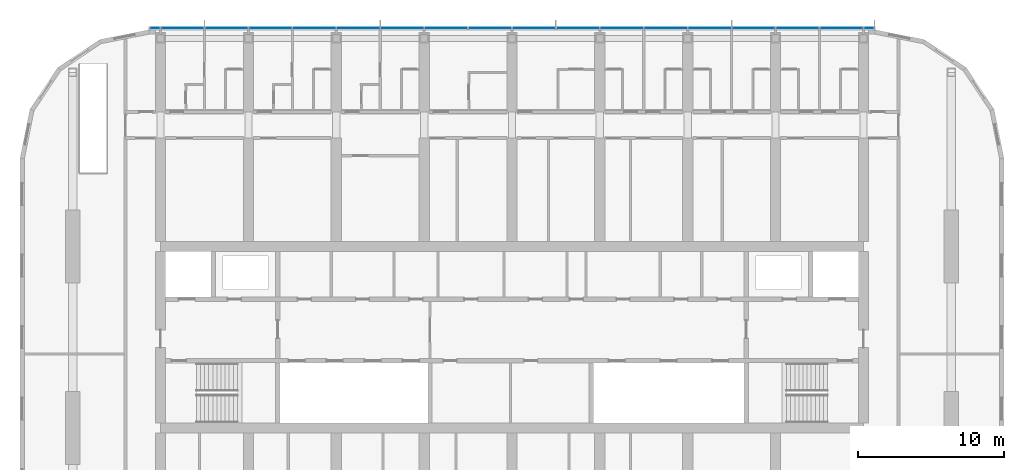
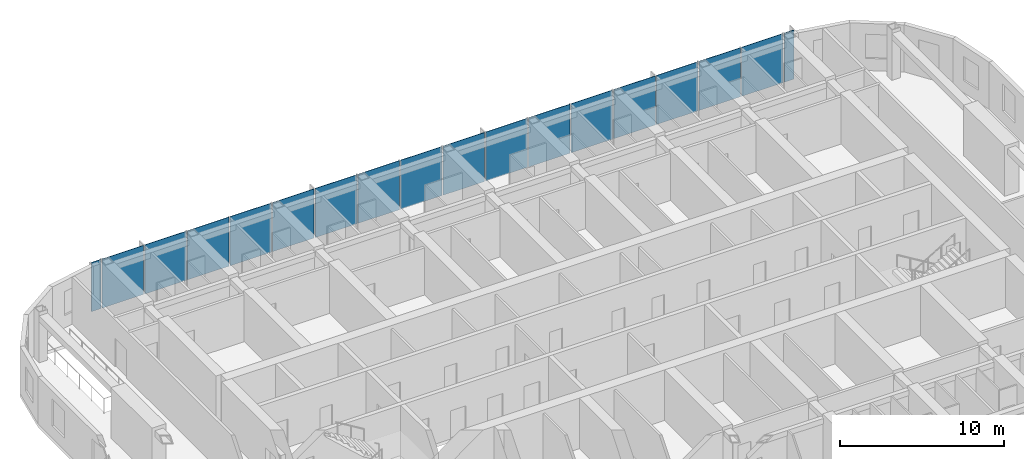
# One storey, part 9 of 24: 18 plates, 1 element without a shape of its own.
"""IFC4 building model written with IfcOpenShell, lengths in metres."""

import ifcopenshell
import ifcopenshell.guid

model = None  # the IFC model being written
_history = None  # IfcOwnerHistory: only IFC2X3 demands one
_inside = {}  # id of a spatial element -> (the spatial element, [elements in it])
_under = {}  # id of a project, library or spatial element -> (it, [spatial elements below it])
_declared = {}  # id of a project -> (the project, [libraries it declares])
_typed = {}  # id of a type object -> (the type object, [elements of that type])
_made_of = {}  # id of a material, layer set ... -> (it, [elements and type objects made of it])


def new_model(schema):
    """Start an empty IFC model of exactly this schema.

    Asked for "IFC4X3", IfcOpenShell would pick the latest addendum, in which some entities
    have other attributes; the version numbers below select the first issue.
    IFC2X3 requires an IfcOwnerHistory on every rooted entity: one is made here for all.
    """
    global model, _history
    if schema == "IFC4X3":
        model = ifcopenshell.file(schema_version=(4, 3, 0, 0))
    else:
        model = ifcopenshell.file(schema=schema)
    _inside.clear()
    _under.clear()
    _declared.clear()
    _typed.clear()
    _made_of.clear()
    _history = None
    if model.schema == "IFC2X3":
        org = make("IfcOrganization", Name="unknown")
        user = make(
            "IfcPersonAndOrganization",
            ThePerson=make("IfcPerson", FamilyName="unknown"),
            TheOrganization=org,
        )
        app = make(
            "IfcApplication",
            ApplicationDeveloper=org,
            Version="unknown",
            ApplicationFullName="unknown",
            ApplicationIdentifier="unknown",
        )
        _history = make(
            "IfcOwnerHistory",
            OwningUser=user,
            OwningApplication=app,
            ChangeAction="ADDED",
            CreationDate=0,
        )
    return model


def make(cls, **values):
    """One entity of the class cls with the attributes given. An attribute that is None is left unset."""
    return model.create_entity(
        cls, **{name: value for name, value in values.items() if value is not None}
    )


def rooted(cls, **values):
    """An entity with a GlobalId (a new one), such as an element, a storey or a relation."""
    return make(cls, GlobalId=ifcopenshell.guid.new(), OwnerHistory=_history, **values)


def si_unit(unit_type, name, prefix=None):
    """IfcSIUnit, for example si_unit("LENGTHUNIT", "METRE", prefix="MILLI")."""
    return make("IfcSIUnit", UnitType=unit_type, Prefix=prefix, Name=name)


def assignment(units):
    """IfcUnitAssignment: the units of a project."""
    return None if units is None else make("IfcUnitAssignment", Units=units)


def point(xyz):
    """IfcCartesianPoint."""
    return None if xyz is None else make("IfcCartesianPoint", Coordinates=xyz)


def direction(xyz):
    """IfcDirection."""
    return None if xyz is None else make("IfcDirection", DirectionRatios=xyz)


def frame(location, z_axis=None, x_axis=None):
    """IfcAxis2Placement3D, a coordinate frame: its origin and axes. An axis left out is left unset."""
    return make(
        "IfcAxis2Placement3D",
        Location=point(location),
        Axis=direction(z_axis),
        RefDirection=direction(x_axis),
    )


def frame_2d(location, x_axis=None):
    """IfcAxis2Placement2D, a coordinate frame in the plane: its origin and x axis."""
    return make(
        "IfcAxis2Placement2D", Location=point(location), RefDirection=direction(x_axis)
    )


def origin():
    """The frame at (0, 0, 0) with its axes left unset."""
    return frame((0.0, 0.0, 0.0))


def origin_2d():
    """The frame at (0, 0) in the plane with its x axis left unset."""
    return frame_2d((0.0, 0.0))


def place(relative_to, where):
    """IfcLocalPlacement: puts the frame where relative to a parent placement (None: the world)."""
    return make(
        "IfcLocalPlacement", PlacementRelTo=relative_to, RelativePlacement=where
    )


def context(
    kind, dimensions, precision=None, world=None, true_north=None, identifier=None
):
    """IfcGeometricRepresentationContext, for example the 3D "Model" context."""
    return make(
        "IfcGeometricRepresentationContext",
        ContextIdentifier=identifier,
        ContextType=kind,
        CoordinateSpaceDimension=dimensions,
        Precision=precision,
        WorldCoordinateSystem=world,
        TrueNorth=true_north,
    )


def subcontext(parent, identifier, kind, view, scale=None):
    """IfcGeometricRepresentationSubContext, for example "Body" below "Model"."""
    return make(
        "IfcGeometricRepresentationSubContext",
        ContextIdentifier=identifier,
        ContextType=kind,
        ParentContext=parent,
        TargetScale=scale,
        TargetView=view,
    )


def project(units=None, contexts=None):
    """IfcProject with its units and contexts."""
    return rooted(
        "IfcProject",
        Name="project",
        RepresentationContexts=contexts,
        UnitsInContext=assignment(units),
    )


def spatial(cls, under=None, at=None, **own):
    """A site, building, storey or space (cls), placed at a placement, below another one or the project."""
    s = rooted(cls, ObjectPlacement=at, **own)
    if under is not None:
        _under.setdefault(under.id(), (under, []))[1].append(s)
    return s


def profile(cls, at=None, kind="AREA", **sizes):
    """A parametric profile (cls). Its sizes go by their IFC names, for example OverallWidth=200.0."""
    return make(cls, ProfileType=kind, Position=at, **sizes)


def rectangle(**sizes):
    """IfcRectangleProfileDef."""
    return profile("IfcRectangleProfileDef", **sizes)


def extrude(swept, where, along, depth):
    """IfcExtrudedAreaSolid: the profile swept, set in the frame where, extruded along a direction by depth."""
    return make(
        "IfcExtrudedAreaSolid",
        SweptArea=swept,
        Position=where,
        ExtrudedDirection=direction(along),
        Depth=depth,
    )


def shape(context_of_items, identifier, shape_type, items):
    """IfcShapeRepresentation: the items that make up one representation, for example the "Body"."""
    return make(
        "IfcShapeRepresentation",
        ContextOfItems=context_of_items,
        RepresentationIdentifier=identifier,
        RepresentationType=shape_type,
        Items=items,
    )


def material(Name=None, Category=None):
    """IfcMaterial."""
    return make("IfcMaterial", Name=Name, Category=Category)


def layer(
    of_material, thickness, ventilated=None, Name=None, Category=None, Priority=None
):
    """IfcMaterialLayer: one layer of a wall or slab, of a material (None: an air gap)."""
    return make(
        "IfcMaterialLayer",
        Material=of_material,
        LayerThickness=thickness,
        IsVentilated=ventilated,
        Name=Name,
        Category=Category,
        Priority=Priority,
    )


def layer_set(layers, Name=None):
    """IfcMaterialLayerSet."""
    return make("IfcMaterialLayerSet", MaterialLayers=layers, LayerSetName=Name)


def made_of(thing, what):
    """Note that an element or type object is made of a material, layer set ...; save() writes the relation."""
    if what is not None:
        _made_of.setdefault(what.id(), (what, []))[1].append(thing)
    return thing


def type_object(cls, material=None, **own):
    """A type object (cls), such as IfcWallType, which elements share."""
    return made_of(rooted(cls, **own), material)


def element(
    cls,
    number,
    at=None,
    inside=None,
    cuts=None,
    type_object=None,
    material=None,
    context=None,
    identifier="Body",
    shape_type=None,
    held_by="IfcProductDefinitionShape",
    body=None,
    shapes=None,
    **own,
):
    """One element of the class cls, such as IfcWall. Its Tag is "e" and its number.

    at: its placement. inside: the storey or other place that contains it. cuts: it is an
    opening in that element (IfcRelVoidsElement). A single representation is given by context,
    identifier, shape_type and body (its items); several are given by shapes. held_by: the class
    of the entity that holds the representations. save() writes the other relations.
    """
    e = rooted(cls, Tag="e%d" % number, ObjectPlacement=at, **own)
    if body is not None:
        shapes = [shape(context, identifier, shape_type, body)]
    if shapes is not None:
        e.Representation = make(held_by, Representations=shapes)
    if inside is not None:
        _inside.setdefault(inside.id(), (inside, []))[1].append(e)
    if cuts is not None:
        rooted(
            "IfcRelVoidsElement", RelatingBuildingElement=cuts, RelatedOpeningElement=e
        )
    if type_object is not None:
        _typed.setdefault(type_object.id(), (type_object, []))[1].append(e)
    return made_of(e, material)


def aggregate(whole, parts):
    """IfcRelAggregates: a whole, such as a stair, and the parts it consists of."""
    return rooted("IfcRelAggregates", RelatingObject=whole, RelatedObjects=parts)


def save(model, path):
    """Write the relations noted so far, then the file.

    IfcRelAggregates (storeys below a building ...), IfcRelContainedInSpatialStructure (elements
    in a storey), IfcRelDefinesByType, IfcRelAssociatesMaterial and IfcRelDeclares: one each for
    every whole, place, type object, material and project.
    """
    for whole, parts in _under.values():
        aggregate(whole, parts)
    for where, things in _inside.values():
        rooted(
            "IfcRelContainedInSpatialStructure",
            RelatedElements=things,
            RelatingStructure=where,
        )
    for kind, things in _typed.values():
        rooted("IfcRelDefinesByType", RelatedObjects=things, RelatingType=kind)
    for what, things in _made_of.values():
        rooted("IfcRelAssociatesMaterial", RelatedObjects=things, RelatingMaterial=what)
    for by, libraries in _declared.values():
        rooted("IfcRelDeclares", RelatingContext=by, RelatedDefinitions=libraries)
    model.write(path)


model = new_model("IFC4")

# Units and contexts
model_context = context("Model", 3, precision=1e-05, world=origin(), true_north=direction((0.0, 1.0)))
body_context = subcontext(model_context, "Body", "Model", "MODEL_VIEW")
ifc_project = project(units=[si_unit("LENGTHUNIT", "METRE"), si_unit("AREAUNIT", "SQUARE_METRE"), si_unit("VOLUMEUNIT", "CUBIC_METRE"), si_unit("PLANEANGLEUNIT", "RADIAN"), si_unit("MASSUNIT", "GRAM", prefix="KILO")], contexts=[model_context])

# Site, building, storey
site_placement = place(None, origin())
site = spatial("IfcSite", under=ifc_project, at=site_placement, CompositionType="ELEMENT")
building_placement = place(site_placement, origin())
building = spatial("IfcBuilding", under=site, at=building_placement, Name="Orbita Commons", CompositionType="ELEMENT")
storey_placement = place(building_placement, frame((0.0, 0.0, 235.300048828125)))
storey = spatial("IfcBuildingStorey", under=building, at=storey_placement, Name="L58", CompositionType="ELEMENT", Elevation=235.300048828125)

# Curtain wall, plates
ifc_material_1 = material(Name="Anodised aluminium frame, pale silver", Category="aluminium")
curtain_wall_type = type_object("IfcCurtainWallType", Name="Unitised curtain wall CW-U, full-height vision", PredefinedType="NOTDEFINED", material=ifc_material_1)
curtain_wall_placement = place(storey_placement, origin())
curtain_wall = element("IfcCurtainWall", 1, at=curtain_wall_placement, inside=storey, type_object=curtain_wall_type, Name="Curtain wall north L58", PredefinedType="NOTDEFINED")
ifc_material_2 = material(Name="Clear double glazing", Category="glass")
ifc_layer = layer(ifc_material_2, 0.031982421875)
ifc_layer_set = layer_set([ifc_layer], Name="Clear double glazing")
plate_type = type_object("IfcPlateType", Name="Full-height vision panel, clear glazing 32", PredefinedType="CURTAIN_PANEL", material=ifc_layer_set)
plate_1_placement = place(storey_placement, frame((66.3798828125, 53.110107421875, -0.14990234375), z_axis=(0.0, 0.0, 1.0), x_axis=(-1.0, 0.0, 0.0)))
plate_1 = element("IfcPlate", 2, at=plate_1_placement, type_object=plate_type, Name="Panel 1.1 CW-L58-N", PredefinedType="CURTAIN_PANEL", context=body_context, shape_type="SweptSolid", body=[
    extrude(rectangle(XDim=0.679931640625, YDim=0.031982421875, at=origin_2d()), origin(), (0.0, 0.0, 1.0), 3.64990234375),
])
plate_2_placement = place(storey_placement, frame((64.5, 53.110107421875, -0.14990234375), z_axis=(0.0, 0.0, 1.0), x_axis=(-1.0, 0.0, 0.0)))
plate_2 = element("IfcPlate", 3, at=plate_2_placement, type_object=plate_type, Name="Panel 2.1 CW-L58-N", PredefinedType="CURTAIN_PANEL", context=body_context, shape_type="SweptSolid", body=[
    extrude(rectangle(XDim=2.919921875, YDim=0.031982421875, at=origin_2d()), origin(), (0.0, 0.0, 1.0), 3.64990234375),
])
plate_3_placement = place(storey_placement, frame((61.5, 53.110107421875, -0.14990234375), z_axis=(0.0, 0.0, 1.0), x_axis=(-1.0, 0.0, 0.0)))
plate_3 = element("IfcPlate", 4, at=plate_3_placement, type_object=plate_type, Name="Panel 3.1 CW-L58-N", PredefinedType="CURTAIN_PANEL", context=body_context, shape_type="SweptSolid", body=[
    extrude(rectangle(XDim=2.919921875, YDim=0.031982421875, at=origin_2d()), origin(), (0.0, 0.0, 1.0), 3.64990234375),
])
plate_4_placement = place(storey_placement, frame((58.5, 53.110107421875, -0.14990234375), z_axis=(0.0, 0.0, 1.0), x_axis=(-1.0, 0.0, 0.0)))
plate_4 = element("IfcPlate", 5, at=plate_4_placement, type_object=plate_type, Name="Panel 4.1 CW-L58-N", PredefinedType="CURTAIN_PANEL", context=body_context, shape_type="SweptSolid", body=[
    extrude(rectangle(XDim=2.919921875, YDim=0.031982421875, at=origin_2d()), origin(), (0.0, 0.0, 1.0), 3.64990234375),
])
plate_5_placement = place(storey_placement, frame((55.5, 53.110107421875, -0.14990234375), z_axis=(0.0, 0.0, 1.0), x_axis=(-1.0, 0.0, 0.0)))
plate_5 = element("IfcPlate", 6, at=plate_5_placement, type_object=plate_type, Name="Panel 5.1 CW-L58-N", PredefinedType="CURTAIN_PANEL", context=body_context, shape_type="SweptSolid", body=[
    extrude(rectangle(XDim=2.919921875, YDim=0.031982421875, at=origin_2d()), origin(), (0.0, 0.0, 1.0), 3.64990234375),
])
plate_6_placement = place(storey_placement, frame((52.5, 53.110107421875, -0.14990234375), z_axis=(0.0, 0.0, 1.0), x_axis=(-1.0, 0.0, 0.0)))
plate_6 = element("IfcPlate", 7, at=plate_6_placement, type_object=plate_type, Name="Panel 6.1 CW-L58-N", PredefinedType="CURTAIN_PANEL", context=body_context, shape_type="SweptSolid", body=[
    extrude(rectangle(XDim=2.919921875, YDim=0.031982421875, at=origin_2d()), origin(), (0.0, 0.0, 1.0), 3.64990234375),
])
plate_7_placement = place(storey_placement, frame((49.5, 53.110107421875, -0.14990234375), z_axis=(0.0, 0.0, 1.0), x_axis=(-1.0, 0.0, 0.0)))
plate_7 = element("IfcPlate", 8, at=plate_7_placement, type_object=plate_type, Name="Panel 7.1 CW-L58-N", PredefinedType="CURTAIN_PANEL", context=body_context, shape_type="SweptSolid", body=[
    extrude(rectangle(XDim=2.919921875, YDim=0.031982421875, at=origin_2d()), origin(), (0.0, 0.0, 1.0), 3.64990234375),
])
plate_8_placement = place(storey_placement, frame((46.5, 53.110107421875, -0.14990234375), z_axis=(0.0, 0.0, 1.0), x_axis=(-1.0, 0.0, 0.0)))
plate_8 = element("IfcPlate", 9, at=plate_8_placement, type_object=plate_type, Name="Panel 8.1 CW-L58-N", PredefinedType="CURTAIN_PANEL", context=body_context, shape_type="SweptSolid", body=[
    extrude(rectangle(XDim=2.919921875, YDim=0.031982421875, at=origin_2d()), origin(), (0.0, 0.0, 1.0), 3.64990234375),
])
plate_9_placement = place(storey_placement, frame((43.5, 53.110107421875, -0.14990234375), z_axis=(0.0, 0.0, 1.0), x_axis=(-1.0, 0.0, 0.0)))
plate_9 = element("IfcPlate", 10, at=plate_9_placement, type_object=plate_type, Name="Panel 9.1 CW-L58-N", PredefinedType="CURTAIN_PANEL", context=body_context, shape_type="SweptSolid", body=[
    extrude(rectangle(XDim=2.919921875, YDim=0.031982421875, at=origin_2d()), origin(), (0.0, 0.0, 1.0), 3.64990234375),
])
plate_10_placement = place(storey_placement, frame((40.5, 53.110107421875, -0.14990234375), z_axis=(0.0, 0.0, 1.0), x_axis=(-1.0, 0.0, 0.0)))
plate_10 = element("IfcPlate", 11, at=plate_10_placement, type_object=plate_type, Name="Panel 10.1 CW-L58-N", PredefinedType="CURTAIN_PANEL", context=body_context, shape_type="SweptSolid", body=[
    extrude(rectangle(XDim=2.919921875, YDim=0.031982421875, at=origin_2d()), origin(), (0.0, 0.0, 1.0), 3.64990234375),
])
plate_11_placement = place(storey_placement, frame((37.5, 53.110107421875, -0.14990234375), z_axis=(0.0, 0.0, 1.0), x_axis=(-1.0, 0.0, 0.0)))
plate_11 = element("IfcPlate", 12, at=plate_11_placement, type_object=plate_type, Name="Panel 11.1 CW-L58-N", PredefinedType="CURTAIN_PANEL", context=body_context, shape_type="SweptSolid", body=[
    extrude(rectangle(XDim=2.919921875, YDim=0.031982421875, at=origin_2d()), origin(), (0.0, 0.0, 1.0), 3.64990234375),
])
plate_12_placement = place(storey_placement, frame((34.5, 53.110107421875, -0.14990234375), z_axis=(0.0, 0.0, 1.0), x_axis=(-1.0, 0.0, 0.0)))
plate_12 = element("IfcPlate", 13, at=plate_12_placement, type_object=plate_type, Name="Panel 12.1 CW-L58-N", PredefinedType="CURTAIN_PANEL", context=body_context, shape_type="SweptSolid", body=[
    extrude(rectangle(XDim=2.919921875, YDim=0.031982421875, at=origin_2d()), origin(), (0.0, 0.0, 1.0), 3.64990234375),
])
plate_13_placement = place(storey_placement, frame((31.5, 53.110107421875, -0.14990234375), z_axis=(0.0, 0.0, 1.0), x_axis=(-1.0, 0.0, 0.0)))
plate_13 = element("IfcPlate", 14, at=plate_13_placement, type_object=plate_type, Name="Panel 13.1 CW-L58-N", PredefinedType="CURTAIN_PANEL", context=body_context, shape_type="SweptSolid", body=[
    extrude(rectangle(XDim=2.919921875, YDim=0.031982421875, at=origin_2d()), origin(), (0.0, 0.0, 1.0), 3.64990234375),
])
plate_14_placement = place(storey_placement, frame((28.5, 53.110107421875, -0.14990234375), z_axis=(0.0, 0.0, 1.0), x_axis=(-1.0, 0.0, 0.0)))
plate_14 = element("IfcPlate", 15, at=plate_14_placement, type_object=plate_type, Name="Panel 14.1 CW-L58-N", PredefinedType="CURTAIN_PANEL", context=body_context, shape_type="SweptSolid", body=[
    extrude(rectangle(XDim=2.919921875, YDim=0.031982421875, at=origin_2d()), origin(), (0.0, 0.0, 1.0), 3.64990234375),
])
plate_15_placement = place(storey_placement, frame((25.5, 53.110107421875, -0.14990234375), z_axis=(0.0, 0.0, 1.0), x_axis=(-1.0, 0.0, 0.0)))
plate_15 = element("IfcPlate", 16, at=plate_15_placement, type_object=plate_type, Name="Panel 15.1 CW-L58-N", PredefinedType="CURTAIN_PANEL", context=body_context, shape_type="SweptSolid", body=[
    extrude(rectangle(XDim=2.919921875, YDim=0.031982421875, at=origin_2d()), origin(), (0.0, 0.0, 1.0), 3.64990234375),
])
plate_16_placement = place(storey_placement, frame((22.5, 53.110107421875, -0.14990234375), z_axis=(0.0, 0.0, 1.0), x_axis=(-1.0, 0.0, 0.0)))
plate_16 = element("IfcPlate", 17, at=plate_16_placement, type_object=plate_type, Name="Panel 16.1 CW-L58-N", PredefinedType="CURTAIN_PANEL", context=body_context, shape_type="SweptSolid", body=[
    extrude(rectangle(XDim=2.919921875, YDim=0.031982421875, at=origin_2d()), origin(), (0.0, 0.0, 1.0), 3.64990234375),
])
plate_17_placement = place(storey_placement, frame((19.5, 53.110107421875, -0.14990234375), z_axis=(0.0, 0.0, 1.0), x_axis=(-1.0, 0.0, 0.0)))
plate_17 = element("IfcPlate", 18, at=plate_17_placement, type_object=plate_type, Name="Panel 17.1 CW-L58-N", PredefinedType="CURTAIN_PANEL", context=body_context, shape_type="SweptSolid", body=[
    extrude(rectangle(XDim=2.919921875, YDim=0.031982421875, at=origin_2d()), origin(), (0.0, 0.0, 1.0), 3.64990234375),
])
plate_18_placement = place(storey_placement, frame((17.6201171875, 53.110107421875, -0.14990234375), z_axis=(0.0, 0.0, 1.0), x_axis=(-1.0, 0.0, 0.0)))
plate_18 = element("IfcPlate", 19, at=plate_18_placement, type_object=plate_type, Name="Panel 18.1 CW-L58-N", PredefinedType="CURTAIN_PANEL", context=body_context, shape_type="SweptSolid", body=[
    extrude(rectangle(XDim=0.679931640625, YDim=0.031982421875, at=origin_2d()), origin(), (0.0, 0.0, 1.0), 3.64990234375),
])
aggregate(curtain_wall, [plate_1, plate_2, plate_3, plate_4, plate_5, plate_6, plate_7, plate_8, plate_9, plate_10, plate_11, plate_12, plate_13, plate_14, plate_15, plate_16, plate_17, plate_18])

save(model, "model.ifc")
